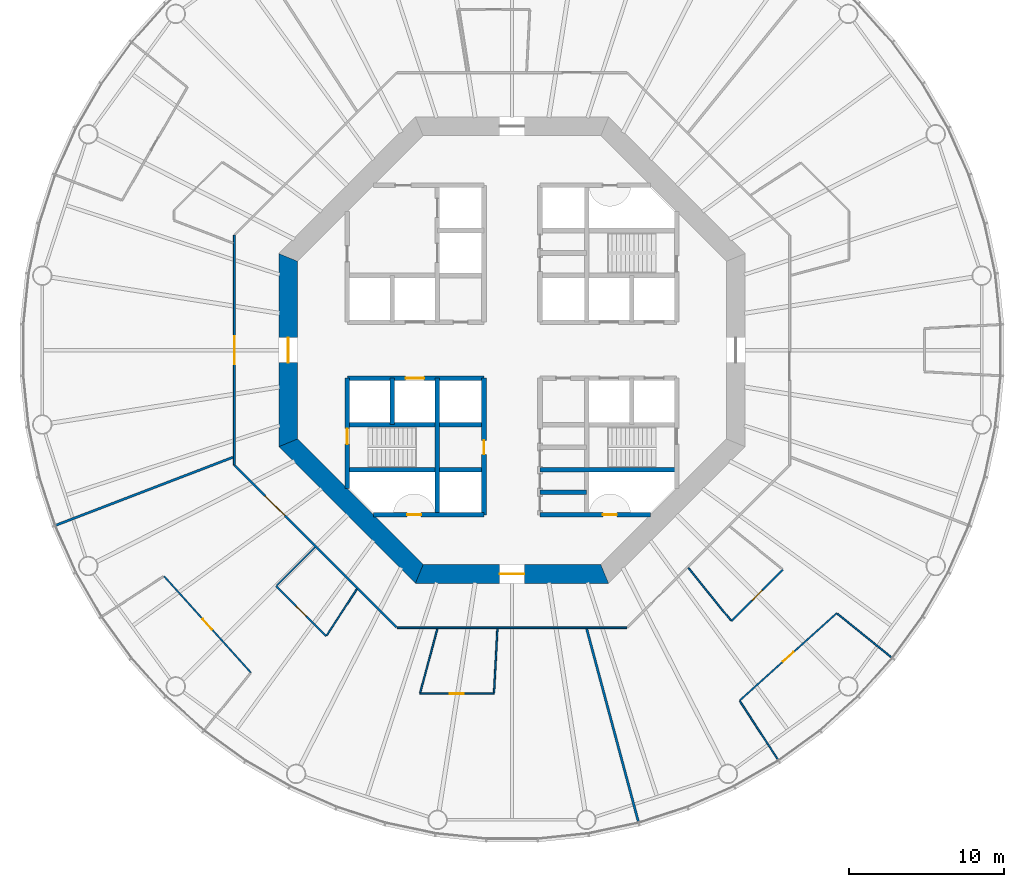
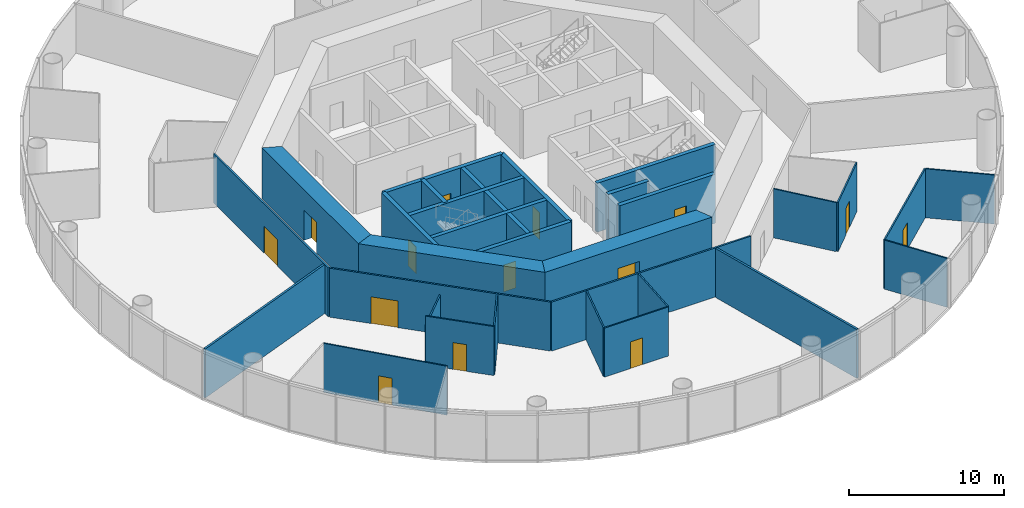
# One storey, part 3 of 13: 31 walls, 14 doors, 14 openings.
"""IFC4 building model written with IfcOpenShell, lengths in metres."""

from ifc_helpers import new_model, si_unit, direction, frame, frame_2d, origin, place, context, subcontext, project, spatial, polyline, rectangle, outline, extrude, material, layer, layer_set, type_object, element, fill, save


model = new_model("IFC4")

# Units and contexts
model_context = context("Model", 3, precision=1e-05, world=origin(), true_north=direction((0.0, 1.0)))
body_context = subcontext(model_context, "Body", "Model", "MODEL_VIEW")
ifc_project = project(units=[si_unit("LENGTHUNIT", "METRE"), si_unit("AREAUNIT", "SQUARE_METRE"), si_unit("VOLUMEUNIT", "CUBIC_METRE"), si_unit("PLANEANGLEUNIT", "RADIAN"), si_unit("MASSUNIT", "GRAM", prefix="KILO")], contexts=[model_context])

# Site, building, storey
site_placement = place(None, origin())
site = spatial("IfcSite", under=ifc_project, at=site_placement, CompositionType="ELEMENT")
building_placement = place(site_placement, origin())
building = spatial("IfcBuilding", under=site, at=building_placement, Name="Entoto Ring Tower", CompositionType="ELEMENT")
storey_placement = place(building_placement, frame((0.0, 0.0, 120.0)))
storey = spatial("IfcBuildingStorey", under=building, at=storey_placement, Name="L27", CompositionType="ELEMENT", Elevation=120.0)

# Wall, opening, door
ifc_material_1 = material(Name="Concrete C40/50", Category="concrete")
ifc_layer_1 = layer(ifc_material_1, 0.300048828125)
ifc_layer_set_1 = layer_set([ifc_layer_1], Name="Concrete C40/50")
wall_type_1 = type_object("IfcWallType", Name="Core enclosure wall 300 mm reinforced concrete", PredefinedType="SOLIDWALL", material=ifc_layer_set_1)
wall_1_placement = place(storey_placement, frame((88.199951171875, 69.39990234375, 0.0), z_axis=(0.0, 0.0, 1.0), x_axis=(0.0, 1.0, 0.0)))
wall_1 = element("IfcWall", 1, at=wall_1_placement, inside=storey, type_object=wall_type_1, Name="wall-L27-009", PredefinedType="SOLIDWALL", context=body_context, shape_type="SweptSolid", body=[
    extrude(rectangle(XDim=8.800048828125, YDim=0.300048828125, at=frame_2d((4.39990234375, 0.0))), origin(), (0.0, 0.0, 1.0), 3.85009765625),
])
opening_1_placement = place(wall_1_placement, frame((3.89990234375, 0.0, 0.0)))
opening_1 = element("IfcOpeningElement", 2, at=opening_1_placement, cuts=wall_1, Name="Opening K-57", PredefinedType="OPENING", context=body_context, shape_type="SweptSolid", body=[
    extrude(rectangle(XDim=0.89990234375, YDim=2.10009765625, at=frame_2d((0.449951171875, 1.050048828125))), frame((0.0, 0.16015625, 0.0), z_axis=(0.0, -1.0, 0.0), x_axis=(1.0, 0.0, 0.0)), (0.0, 0.0, 1.0), 0.320068359375),
])
ifc_material_2 = material(Name="Steel door leaf, fire rated", Category="steel")
ifc_layer_2 = layer(ifc_material_2, 0.050048828125)
ifc_layer_set_2 = layer_set([ifc_layer_2], Name="Steel door leaf, fire rated")
door_type_1 = type_object("IfcDoorType", Name="Core door 900 x 2100 single leaf", OperationType="NOTDEFINED", PredefinedType="DOOR", material=ifc_layer_set_2)
door_1_placement = place(opening_1_placement, origin())
door_1 = element("IfcDoor", 3, at=door_1_placement, inside=storey, type_object=door_type_1, Name="Door K-57", OperationType="SINGLE_SWING_RIGHT", OverallHeight=2.10009765625, OverallWidth=0.89990234375, PredefinedType="DOOR", context=body_context, shape_type="SweptSolid", body=[
    extrude(rectangle(XDim=0.89990234375, YDim=2.10009765625, at=frame_2d((0.449951171875, 1.050048828125))), frame((0.0, 0.02490234375, 0.0), z_axis=(0.0, -1.0, 0.0), x_axis=(1.0, 0.0, 0.0)), (0.0, 0.0, 1.0), 0.050048828125),
])
fill(opening_1, door_1)

# Walls
wall_2_placement = place(storey_placement, frame((85.199951171875, 69.39990234375, 0.0), z_axis=(0.0, 0.0, 1.0), x_axis=(0.0, 1.0, 0.0)))
element("IfcWall", 4, at=wall_2_placement, inside=storey, type_object=wall_type_1, Name="wall-L27-011", PredefinedType="SOLIDWALL", context=body_context, shape_type="SweptSolid", body=[
    extrude(rectangle(XDim=8.800048828125, YDim=0.300048828125, at=frame_2d((4.39990234375, 0.0))), origin(), (0.0, 0.0, 1.0), 3.85009765625),
])
wall_3_placement = place(storey_placement, frame((82.300048828125, 75.199951171875, 0.0), z_axis=(0.0, 0.0, 1.0), x_axis=(0.0, 1.0, 0.0)))
element("IfcWall", 5, at=wall_3_placement, inside=storey, type_object=wall_type_1, Name="wall-L27-013", PredefinedType="SOLIDWALL", context=body_context, shape_type="SweptSolid", body=[
    extrude(rectangle(XDim=3.0, YDim=0.300048828125, at=frame_2d((1.5, 0.0))), origin(), (0.0, 0.0, 1.0), 3.85009765625),
])

# Wall, opening, door
wall_4_placement = place(storey_placement, frame((79.39990234375, 71.083984375, 0.0), z_axis=(0.0, 0.0, 1.0), x_axis=(0.0, 1.0, 0.0)))
wall_4 = element("IfcWall", 6, at=wall_4_placement, inside=storey, type_object=wall_type_1, Name="wall-L27-015", PredefinedType="SOLIDWALL", context=body_context, shape_type="SweptSolid", body=[
    extrude(rectangle(XDim=7.115966796875, YDim=0.300048828125, at=frame_2d((3.55810546875, 0.0))), origin(), (0.0, 0.0, 1.0), 3.85009765625),
])
opening_2_placement = place(wall_4_placement, frame((2.8662109375, 0.0, 0.0)))
opening_2 = element("IfcOpeningElement", 7, at=opening_2_placement, cuts=wall_4, Name="Opening K-67", PredefinedType="OPENING", context=body_context, shape_type="SweptSolid", body=[
    extrude(rectangle(XDim=1.0, YDim=2.10009765625, at=frame_2d((0.5, 1.050048828125))), frame((0.0, 0.16015625, 0.0), z_axis=(0.0, -1.0, 0.0), x_axis=(1.0, 0.0, 0.0)), (0.0, 0.0, 1.0), 0.320068359375),
])
ifc_material_3 = material(Name="Steel door leaf, fire rated", Category="steel")
ifc_layer_3 = layer(ifc_material_3, 0.050048828125)
ifc_layer_set_3 = layer_set([ifc_layer_3], Name="Steel door leaf, fire rated")
door_type_2 = type_object("IfcDoorType", Name="Fire door FD60 1000 x 2100 single leaf", OperationType="NOTDEFINED", PredefinedType="DOOR", material=ifc_layer_set_3)
door_2_placement = place(opening_2_placement, frame((1.0, 0.0, 0.0), z_axis=(0.0, 0.0, 1.0), x_axis=(-1.0, 0.0, 0.0)))
door_2 = element("IfcDoor", 8, at=door_2_placement, inside=storey, type_object=door_type_2, Name="Door K-67", OperationType="SINGLE_SWING_LEFT", OverallHeight=2.10009765625, OverallWidth=1.0, PredefinedType="DOOR", context=body_context, shape_type="SweptSolid", body=[
    extrude(rectangle(XDim=1.0, YDim=2.10009765625, at=frame_2d((0.5, 1.050048828125))), frame((0.0, 0.02490234375, 0.0), z_axis=(0.0, -1.0, 0.0), x_axis=(1.0, 0.0, 0.0)), (0.0, 0.0, 1.0), 0.050048828125),
])
fill(opening_2, door_2)

wall_5_placement = place(storey_placement, frame((81.083984375, 69.39990234375, 0.0), z_axis=(0.0, 0.0, 1.0), x_axis=(1.0, 0.0, 0.0)))
wall_5 = element("IfcWall", 9, at=wall_5_placement, inside=storey, type_object=wall_type_1, Name="wall-L27-017", PredefinedType="SOLIDWALL", context=body_context, shape_type="SweptSolid", body=[
    extrude(rectangle(XDim=7.115966796875, YDim=0.300048828125, at=frame_2d((3.55810546875, 0.0))), origin(), (0.0, 0.0, 1.0), 3.85009765625),
])
opening_3_placement = place(wall_5_placement, frame((2.166015625, 0.0, 0.0)))
opening_3 = element("IfcOpeningElement", 10, at=opening_3_placement, cuts=wall_5, Name="Opening K-74", PredefinedType="OPENING", context=body_context, shape_type="SweptSolid", body=[
    extrude(rectangle(XDim=0.89990234375, YDim=2.10009765625, at=frame_2d((0.449951171875, 1.050048828125))), frame((0.0, 0.16015625, 0.0), z_axis=(0.0, -1.0, 0.0), x_axis=(1.0, 0.0, 0.0)), (0.0, 0.0, 1.0), 0.320068359375),
])
ifc_material_4 = material(Name="Steel door leaf, fire rated", Category="steel")
ifc_layer_4 = layer(ifc_material_4, 0.050048828125)
ifc_layer_set_4 = layer_set([ifc_layer_4], Name="Steel door leaf, fire rated")
door_type_3 = type_object("IfcDoorType", Name="Riser door FD60 900 x 2100 single leaf", OperationType="NOTDEFINED", PredefinedType="DOOR", material=ifc_layer_set_4)
door_3_placement = place(opening_3_placement, origin())
door_3 = element("IfcDoor", 11, at=door_3_placement, inside=storey, type_object=door_type_3, Name="Door K-74", OperationType="SINGLE_SWING_RIGHT", OverallHeight=2.10009765625, OverallWidth=0.89990234375, PredefinedType="DOOR", context=body_context, shape_type="SweptSolid", body=[
    extrude(rectangle(XDim=0.89990234375, YDim=2.10009765625, at=frame_2d((0.449951171875, 1.050048828125))), frame((0.0, 0.02490234375, 0.0), z_axis=(0.0, -1.0, 0.0), x_axis=(1.0, 0.0, 0.0)), (0.0, 0.0, 1.0), 0.050048828125),
])
fill(opening_3, door_3)

wall_6_placement = place(storey_placement, frame((91.800048828125, 69.39990234375, 0.0), z_axis=(0.0, 0.0, 1.0), x_axis=(1.0, 0.0, 0.0)))
wall_6 = element("IfcWall", 12, at=wall_6_placement, inside=storey, type_object=wall_type_1, Name="wall-L27-018", PredefinedType="SOLIDWALL", context=body_context, shape_type="SweptSolid", body=[
    extrude(rectangle(XDim=7.115966796875, YDim=0.300048828125, at=frame_2d((3.55810546875, 0.0))), origin(), (0.0, 0.0, 1.0), 3.85009765625),
])
opening_4_placement = place(wall_6_placement, frame((4.050048828125, 0.0, 0.0)))
opening_4 = element("IfcOpeningElement", 13, at=opening_4_placement, cuts=wall_6, Name="Opening K-75", PredefinedType="OPENING", context=body_context, shape_type="SweptSolid", body=[
    extrude(rectangle(XDim=0.89990234375, YDim=2.10009765625, at=frame_2d((0.449951171875, 1.050048828125))), frame((0.0, 0.16015625, 0.0), z_axis=(0.0, -1.0, 0.0), x_axis=(1.0, 0.0, 0.0)), (0.0, 0.0, 1.0), 0.320068359375),
])
door_4_placement = place(opening_4_placement, origin())
door_4 = element("IfcDoor", 14, at=door_4_placement, inside=storey, type_object=door_type_3, Name="Door K-75", OperationType="SINGLE_SWING_LEFT", OverallHeight=2.10009765625, OverallWidth=0.89990234375, PredefinedType="DOOR", context=body_context, shape_type="SweptSolid", body=[
    extrude(rectangle(XDim=0.89990234375, YDim=2.10009765625, at=frame_2d((0.449951171875, 1.050048828125))), frame((0.0, 0.02490234375, 0.0), z_axis=(0.0, -1.0, 0.0), x_axis=(1.0, 0.0, 0.0)), (0.0, 0.0, 1.0), 0.050048828125),
])
fill(opening_4, door_4)

# Walls
wall_7_placement = place(storey_placement, frame((91.800048828125, 70.85009765625, 0.0), z_axis=(0.0, 0.0, 1.0), x_axis=(1.0, 0.0, 0.0)))
element("IfcWall", 15, at=wall_7_placement, inside=storey, type_object=wall_type_1, Name="wall-L27-019", PredefinedType="SOLIDWALL", context=body_context, shape_type="SweptSolid", body=[
    extrude(rectangle(XDim=3.0, YDim=0.300048828125, at=frame_2d((1.5, 0.0))), origin(), (0.0, 0.0, 1.0), 3.85009765625),
])
for number, where, z_axis, x_axis, name in (
    (16, (79.39990234375, 72.300048828125, 0.0), (0.0, 0.0, 1.0), (1.0, 0.0, 0.0), "wall-L27-020"),
    (17, (91.800048828125, 72.300048828125, 0.0), (0.0, 0.0, 1.0), (1.0, 0.0, 0.0), "wall-L27-021"),
    (18, (79.39990234375, 75.199951171875, 0.0), (0.0, 0.0, 1.0), (1.0, 0.0, 0.0), "wall-L27-023"),
):
    element("IfcWall", number, at=place(storey_placement, frame(where, z_axis=z_axis, x_axis=x_axis)), inside=storey, type_object=wall_type_1, Name=name, PredefinedType="SOLIDWALL", context=body_context, shape_type="SweptSolid", body=[
        extrude(rectangle(XDim=8.800048828125, YDim=0.300048828125, at=frame_2d((4.39990234375, 0.0))), origin(), (0.0, 0.0, 1.0), 3.85009765625),
    ])

# Wall, opening, door
wall_8_placement = place(storey_placement, frame((79.39990234375, 78.199951171875, 0.0), z_axis=(0.0, 0.0, 1.0), x_axis=(1.0, 0.0, 0.0)))
wall_8 = element("IfcWall", 19, at=wall_8_placement, inside=storey, type_object=wall_type_1, Name="wall-L27-025", PredefinedType="SOLIDWALL", context=body_context, shape_type="SweptSolid", body=[
    extrude(rectangle(XDim=8.800048828125, YDim=0.300048828125, at=frame_2d((4.39990234375, 0.0))), origin(), (0.0, 0.0, 1.0), 3.85009765625),
])
opening_5_placement = place(wall_8_placement, frame((3.75, 0.0, 0.0)))
opening_5 = element("IfcOpeningElement", 20, at=opening_5_placement, cuts=wall_8, Name="Opening LD", PredefinedType="OPENING", context=body_context, shape_type="SweptSolid", body=[
    extrude(rectangle(XDim=1.199951171875, YDim=2.10009765625, at=frame_2d((0.60009765625, 1.050048828125))), frame((0.0, 0.16015625, 0.0), z_axis=(0.0, -1.0, 0.0), x_axis=(1.0, 0.0, 0.0)), (0.0, 0.0, 1.0), 0.320068359375),
])
ifc_material_5 = material(Name="Steel and glass door leaf", Category="steel")
ifc_layer_5 = layer(ifc_material_5, 0.050048828125)
ifc_layer_set_5 = layer_set([ifc_layer_5], Name="Steel and glass door leaf")
door_type_4 = type_object("IfcDoorType", Name="Landing door 1200 x 2100 sliding", OperationType="DOUBLE_DOOR_SLIDING", PredefinedType="DOOR", material=ifc_layer_set_5)
door_5_placement = place(opening_5_placement, origin())
door_5 = element("IfcDoor", 21, at=door_5_placement, inside=storey, type_object=door_type_4, Name="Landing door LB6-LR", OperationType="SLIDING_TO_RIGHT", OverallHeight=2.10009765625, OverallWidth=1.199951171875, PredefinedType="DOOR", context=body_context, shape_type="SweptSolid", body=[
    extrude(rectangle(XDim=1.199951171875, YDim=2.10009765625, at=frame_2d((0.60009765625, 1.050048828125))), frame((0.0, 0.02490234375, 0.0), z_axis=(0.0, -1.0, 0.0), x_axis=(1.0, 0.0, 0.0)), (0.0, 0.0, 1.0), 0.050048828125),
])
fill(opening_5, door_5)

ifc_material_6 = material(Name="Concrete C60/75", Category="concrete")
ifc_layer_6 = layer(ifc_material_6, 1.199951171875)
ifc_layer_set_6 = layer_set([ifc_layer_6], Name="Concrete C60/75")
wall_type_2 = type_object("IfcWallType", Name="Core shear wall 1200 mm reinforced concrete C60/75", PredefinedType="SHEAR", material=ifc_layer_set_6)
wall_9_placement = place(storey_placement, frame((75.60009765625, 85.964599609375, 0.0), z_axis=(0.0, 0.0, 1.0), x_axis=(0.0, -1.0, 0.0)))
wall_9 = element("IfcWall", 22, at=wall_9_placement, inside=storey, type_object=wall_type_2, Name="wall-L27-core-4", PredefinedType="SHEAR", context=body_context, shape_type="SweptSolid", body=[
    extrude(outline(polyline([(-0.24853515625, -0.60009765625), (12.177734375, -0.60009765625), (11.6806640625, 0.60009765625), (0.24853515625, 0.60009765625), (-0.24853515625, -0.60009765625)])), origin(), (0.0, 0.0, 1.0), 4.0),
])
opening_6_placement = place(wall_9_placement, frame((5.164794921875, 0.0, 0.0)))
opening_6 = element("IfcOpeningElement", 23, at=opening_6_placement, cuts=wall_9, Name="Opening K-03", PredefinedType="OPENING", context=body_context, shape_type="SweptSolid", body=[
    extrude(rectangle(XDim=1.60009765625, YDim=2.39990234375, at=frame_2d((0.800048828125, 1.199951171875))), frame((0.0, 0.60986328125, 0.0), z_axis=(0.0, -1.0, 0.0), x_axis=(1.0, 0.0, 0.0)), (0.0, 0.0, 1.0), 1.219970703125),
])
ifc_material_7 = material(Name="Steel door leaf, fire rated", Category="steel")
ifc_layer_7 = layer(ifc_material_7, 0.050048828125)
ifc_layer_set_7 = layer_set([ifc_layer_7], Name="Steel door leaf, fire rated")
door_type_5 = type_object("IfcDoorType", Name="Entrance door FD60 1600 x 2400 double leaf", OperationType="DOUBLE_DOOR_SINGLE_SWING", PredefinedType="DOOR", material=ifc_layer_set_7)
door_6_placement = place(opening_6_placement, origin())
door_6 = element("IfcDoor", 24, at=door_6_placement, inside=storey, type_object=door_type_5, Name="Entrance door K-03", OperationType="DOUBLE_DOOR_SINGLE_SWING", OverallHeight=2.39990234375, OverallWidth=1.60009765625, PredefinedType="DOOR", context=body_context, shape_type="SweptSolid", body=[
    extrude(rectangle(XDim=1.60009765625, YDim=2.39990234375, at=frame_2d((0.800048828125, 1.199951171875))), frame((0.0, 0.02490234375, 0.0), z_axis=(0.0, -1.0, 0.0), x_axis=(1.0, 0.0, 0.0)), (0.0, 0.0, 1.0), 0.050048828125),
])
fill(opening_6, door_6)

# Wall
wall_10_placement = place(storey_placement, frame((75.60009765625, 74.035400390625, 0.0), z_axis=(0.0, 0.0, 1.0), x_axis=(0.707106781187, -0.707106781187, 0.0)))
element("IfcWall", 25, at=wall_10_placement, inside=storey, type_object=wall_type_2, Name="wall-L27-core-5", PredefinedType="SHEAR", context=body_context, shape_type="SweptSolid", body=[
    extrude(outline(polyline([(-0.24853515625, -0.60009765625), (12.177734375, -0.60009765625), (11.6806640625, 0.60009765625), (0.24853515625, 0.60009765625), (-0.24853515625, -0.60009765625)])), origin(), (0.0, 0.0, 1.0), 4.0),
])

# Wall, opening, door
wall_11_placement = place(storey_placement, frame((84.035400390625, 65.60009765625, 0.0), z_axis=(0.0, 0.0, 1.0), x_axis=(1.0, 0.0, 0.0)))
wall_11 = element("IfcWall", 26, at=wall_11_placement, inside=storey, type_object=wall_type_2, Name="wall-L27-core-6", PredefinedType="SHEAR", context=body_context, shape_type="SweptSolid", body=[
    extrude(outline(polyline([(-0.24853515625, -0.60009765625), (12.177734375, -0.60009765625), (11.6806640625, 0.60009765625), (0.24853515625, 0.60009765625), (-0.24853515625, -0.60009765625)])), origin(), (0.0, 0.0, 1.0), 4.0),
])
opening_7_placement = place(wall_11_placement, frame((5.164794921875, 0.0, 0.0)))
opening_7 = element("IfcOpeningElement", 27, at=opening_7_placement, cuts=wall_11, Name="Opening K-04", PredefinedType="OPENING", context=body_context, shape_type="SweptSolid", body=[
    extrude(rectangle(XDim=1.60009765625, YDim=2.39990234375, at=frame_2d((0.800048828125, 1.199951171875))), frame((0.0, 0.60986328125, 0.0), z_axis=(0.0, -1.0, 0.0), x_axis=(1.0, 0.0, 0.0)), (0.0, 0.0, 1.0), 1.219970703125),
])
door_7_placement = place(opening_7_placement, origin())
door_7 = element("IfcDoor", 28, at=door_7_placement, inside=storey, type_object=door_type_5, Name="Entrance door K-04", OperationType="DOUBLE_DOOR_SINGLE_SWING", OverallHeight=2.39990234375, OverallWidth=1.60009765625, PredefinedType="DOOR", context=body_context, shape_type="SweptSolid", body=[
    extrude(rectangle(XDim=1.60009765625, YDim=2.39990234375, at=frame_2d((0.800048828125, 1.199951171875))), frame((0.0, 0.02490234375, 0.0), z_axis=(0.0, -1.0, 0.0), x_axis=(1.0, 0.0, 0.0)), (0.0, 0.0, 1.0), 0.050048828125),
])
fill(opening_7, door_7)

ifc_material_8 = material(Name="Fire-resisting plasterboard on steel studs", Category="steel")
ifc_layer_8 = layer(ifc_material_8, 0.125)
ifc_layer_set_8 = layer_set([ifc_layer_8], Name="Fire-resisting plasterboard on steel studs")
wall_type_3 = type_object("IfcWallType", Name="Corridor wall 125 mm one-hour plasterboard on steel studs", PredefinedType="PARTITIONING", material=ifc_layer_set_8)
wall_12_placement = place(storey_placement, frame((72.137451171875, 72.60107421875, 0.0), z_axis=(0.0, 0.0, 1.0), x_axis=(0.0, 1.0, 0.0)))
wall_12 = element("IfcWall", 29, at=wall_12_placement, inside=storey, type_object=wall_type_3, Name="partition-L27-001", PredefinedType="PARTITIONING", context=body_context, shape_type="SweptSolid", body=[
    extrude(rectangle(XDim=14.7978515625, YDim=0.125, at=frame_2d((7.39892578125, 0.0))), origin(), (0.0, 0.0, 1.0), 3.85009765625),
])
opening_8_placement = place(wall_12_placement, frame((6.498779296875, 0.0, 0.0)))
opening_8 = element("IfcOpeningElement", 30, at=opening_8_placement, cuts=wall_12, Name="Opening A11-D07", PredefinedType="OPENING", context=body_context, shape_type="SweptSolid", body=[
    extrude(rectangle(XDim=1.800048828125, YDim=2.10009765625, at=frame_2d((0.89990234375, 1.050048828125))), frame((0.0, 0.072509765625, 0.0), z_axis=(0.0, -1.0, 0.0), x_axis=(1.0, 0.0, 0.0)), (0.0, 0.0, 1.0), 0.14501953125),
])
ifc_material_9 = material(Name="Fire-resisting timber door set", Category="wood")
door_type_6 = type_object("IfcDoorType", Name="Door 1800 x 2100 double leaf FD30S fire door", OperationType="DOUBLE_DOOR_SINGLE_SWING", PredefinedType="DOOR", material=ifc_material_9)
door_8_placement = place(opening_8_placement, origin())
door_8 = element("IfcDoor", 31, at=door_8_placement, inside=storey, type_object=door_type_6, Name="Door A11-D07", OperationType="DOUBLE_DOOR_SINGLE_SWING", OverallHeight=2.10009765625, OverallWidth=1.800048828125, PredefinedType="DOOR", context=body_context, shape_type="SweptSolid", body=[
    extrude(rectangle(XDim=1.800048828125, YDim=2.10009765625, at=frame_2d((0.89990234375, 1.050048828125))), frame((0.0, 0.02490234375, 0.0), z_axis=(0.0, -1.0, 0.0), x_axis=(1.0, 0.0, 0.0)), (0.0, 0.0, 1.0), 0.050048828125),
])
fill(opening_8, door_8)

# Wall
wall_13_placement = place(storey_placement, frame((82.60107421875, 62.137451171875, 0.0), z_axis=(0.0, 0.0, 1.0), x_axis=(1.0, 0.0, 0.0)))
element("IfcWall", 32, at=wall_13_placement, inside=storey, type_object=wall_type_3, Name="partition-L27-002", PredefinedType="PARTITIONING", context=body_context, shape_type="SweptSolid", body=[
    extrude(rectangle(XDim=14.7978515625, YDim=0.125, at=frame_2d((7.39892578125, 0.0))), origin(), (0.0, 0.0, 1.0), 3.85009765625),
])

# Wall, opening, door
wall_14_placement = place(storey_placement, frame((82.570068359375, 62.168701171875, 0.0), z_axis=(0.0, 0.0, 1.0), x_axis=(-0.707106781187, 0.707106781187, 0.0)))
wall_14 = element("IfcWall", 33, at=wall_14_placement, inside=storey, type_object=wall_type_3, Name="partition-L27-006", PredefinedType="PARTITIONING", context=body_context, shape_type="SweptSolid", body=[
    extrude(rectangle(XDim=14.709716796875, YDim=0.125, at=frame_2d((7.35498046875, 0.0))), origin(), (0.0, 0.0, 1.0), 3.85009765625),
])
opening_9_placement = place(wall_14_placement, frame((10.154296875, 0.0, 0.0)))
opening_9 = element("IfcOpeningElement", 34, at=opening_9_placement, cuts=wall_14, Name="Opening A11-D10", PredefinedType="OPENING", context=body_context, shape_type="SweptSolid", body=[
    extrude(rectangle(XDim=1.800048828125, YDim=2.10009765625, at=frame_2d((0.89990234375, 1.050048828125))), frame((0.0, 0.072509765625, 0.0), z_axis=(0.0, -1.0, 0.0), x_axis=(1.0, 0.0, 0.0)), (0.0, 0.0, 1.0), 0.14501953125),
])
door_9_placement = place(opening_9_placement, origin())
door_9 = element("IfcDoor", 35, at=door_9_placement, inside=storey, type_object=door_type_6, Name="Door A11-D10", OperationType="DOUBLE_DOOR_SINGLE_SWING", OverallHeight=2.10009765625, OverallWidth=1.800048828125, PredefinedType="DOOR", context=body_context, shape_type="SweptSolid", body=[
    extrude(rectangle(XDim=1.800048828125, YDim=2.10009765625, at=frame_2d((0.89990234375, 1.050048828125))), frame((0.0, 0.02490234375, 0.0), z_axis=(0.0, -1.0, 0.0), x_axis=(1.0, 0.0, 0.0)), (0.0, 0.0, 1.0), 0.050048828125),
])
fill(opening_9, door_9)

ifc_material_10 = material(Name="Plasterboard on steel studs", Category="steel")
ifc_layer_9 = layer(ifc_material_10, 0.10009765625)
ifc_layer_set_9 = layer_set([ifc_layer_9], Name="Plasterboard on steel studs")
wall_type_4 = type_object("IfcWallType", Name="Partition 100 mm plasterboard on steel studs", PredefinedType="PARTITIONING", material=ifc_layer_set_9)
wall_15_placement = place(storey_placement, frame((104.645263671875, 57.447998046875, 0.0), z_axis=(0.0, 0.0, 1.0), x_axis=(0.7431368482, 0.669139465916, 0.0)))
wall_15 = element("IfcWall", 36, at=wall_15_placement, inside=storey, type_object=wall_type_4, Name="partition-L27-014", PredefinedType="PARTITIONING", context=body_context, shape_type="SweptSolid", body=[
    extrude(rectangle(XDim=8.413330078125, YDim=0.10009765625, at=frame_2d((4.20654296875, 0.0))), origin(), (0.0, 0.0, 1.0), 3.85009765625),
])
opening_10_placement = place(wall_15_placement, frame((3.756591796875, 0.0, 0.0)))
opening_10 = element("IfcOpeningElement", 37, at=opening_10_placement, cuts=wall_15, Name="Opening A11-D16", PredefinedType="OPENING", context=body_context, shape_type="SweptSolid", body=[
    extrude(rectangle(XDim=0.89990234375, YDim=2.10009765625, at=frame_2d((0.449951171875, 1.050048828125))), frame((0.0, 0.06005859375, 0.0), z_axis=(0.0, -1.0, 0.0), x_axis=(1.0, 0.0, 0.0)), (0.0, 0.0, 1.0), 0.1201171875),
])
ifc_material_11 = material(Name="Veneered timber door leaf in timber frame", Category="wood")
door_type_7 = type_object("IfcDoorType", Name="Door 900 x 2100 single leaf timber veneer", OperationType="NOTDEFINED", PredefinedType="DOOR", material=ifc_material_11)
door_10_placement = place(opening_10_placement, frame((0.89990234375, 0.0, 0.0), z_axis=(0.0, 0.0, 1.0), x_axis=(-1.0, 0.0, 0.0)))
door_10 = element("IfcDoor", 38, at=door_10_placement, inside=storey, type_object=door_type_7, Name="Door A11-D16", OperationType="SINGLE_SWING_RIGHT", OverallHeight=2.10009765625, OverallWidth=0.89990234375, PredefinedType="DOOR", context=body_context, shape_type="SweptSolid", body=[
    extrude(rectangle(XDim=0.89990234375, YDim=2.10009765625, at=frame_2d((0.449951171875, 1.050048828125))), frame((0.0, 0.02490234375, 0.0), z_axis=(0.0, -1.0, 0.0), x_axis=(1.0, 0.0, 0.0)), (0.0, 0.0, 1.0), 0.050048828125),
])
fill(opening_10, door_10)

wall_16_placement = place(storey_placement, frame((73.197021484375, 59.250244140625, 0.0), z_axis=(0.0, 0.0, 1.0), x_axis=(-0.669137488158, 0.74313862902, 0.0)))
wall_16 = element("IfcWall", 39, at=wall_16_placement, inside=storey, type_object=wall_type_4, Name="partition-L27-016", PredefinedType="PARTITIONING", context=body_context, shape_type="SweptSolid", body=[
    extrude(rectangle(XDim=8.353515625, YDim=0.10009765625, at=frame_2d((4.1767578125, 0.0))), origin(), (0.0, 0.0, 1.0), 3.85009765625),
])
opening_11_placement = place(wall_16_placement, frame((3.726806640625, 0.0, 0.0)))
opening_11 = element("IfcOpeningElement", 40, at=opening_11_placement, cuts=wall_16, Name="Opening A11-D13", PredefinedType="OPENING", context=body_context, shape_type="SweptSolid", body=[
    extrude(rectangle(XDim=0.89990234375, YDim=2.10009765625, at=frame_2d((0.449951171875, 1.050048828125))), frame((0.0, 0.06005859375, 0.0), z_axis=(0.0, -1.0, 0.0), x_axis=(1.0, 0.0, 0.0)), (0.0, 0.0, 1.0), 0.1201171875),
])
door_11_placement = place(opening_11_placement, origin())
door_11 = element("IfcDoor", 41, at=door_11_placement, inside=storey, type_object=door_type_7, Name="Door A11-D13", OperationType="SINGLE_SWING_RIGHT", OverallHeight=2.10009765625, OverallWidth=0.89990234375, PredefinedType="DOOR", context=body_context, shape_type="SweptSolid", body=[
    extrude(rectangle(XDim=0.89990234375, YDim=2.10009765625, at=frame_2d((0.449951171875, 1.050048828125))), frame((0.0, 0.02490234375, 0.0), z_axis=(0.0, -1.0, 0.0), x_axis=(1.0, 0.0, 0.0)), (0.0, 0.0, 1.0), 0.050048828125),
])
fill(opening_11, door_11)

wall_17_placement = place(storey_placement, frame((84.07763671875, 57.8974609375, 0.0), z_axis=(0.0, 0.0, 1.0), x_axis=(1.0, 0.0, 0.0)))
wall_17 = element("IfcWall", 42, at=wall_17_placement, inside=storey, type_object=wall_type_4, Name="partition-L27-022", PredefinedType="PARTITIONING", context=body_context, shape_type="SweptSolid", body=[
    extrude(rectangle(XDim=4.76416015625, YDim=0.10009765625, at=frame_2d((2.382080078125, 0.0))), origin(), (0.0, 0.0, 1.0), 3.85009765625),
])
opening_12_placement = place(wall_17_placement, frame((1.931884765625, 0.0, 0.0)))
opening_12 = element("IfcOpeningElement", 43, at=opening_12_placement, cuts=wall_17, Name="Opening A11-D12", PredefinedType="OPENING", context=body_context, shape_type="SweptSolid", body=[
    extrude(rectangle(XDim=0.89990234375, YDim=2.10009765625, at=frame_2d((0.449951171875, 1.050048828125))), frame((0.0, 0.06005859375, 0.0), z_axis=(0.0, -1.0, 0.0), x_axis=(1.0, 0.0, 0.0)), (0.0, 0.0, 1.0), 0.1201171875),
])
door_12_placement = place(opening_12_placement, origin())
door_12 = element("IfcDoor", 44, at=door_12_placement, inside=storey, type_object=door_type_7, Name="Door A11-D12", OperationType="SINGLE_SWING_LEFT", OverallHeight=2.10009765625, OverallWidth=0.89990234375, PredefinedType="DOOR", context=body_context, shape_type="SweptSolid", body=[
    extrude(rectangle(XDim=0.89990234375, YDim=2.10009765625, at=frame_2d((0.449951171875, 1.050048828125))), frame((0.0, 0.02490234375, 0.0), z_axis=(0.0, -1.0, 0.0), x_axis=(1.0, 0.0, 0.0)), (0.0, 0.0, 1.0), 0.050048828125),
])
fill(opening_12, door_12)

wall_18_placement = place(storey_placement, frame((104.119140625, 62.564453125, 0.0), z_axis=(0.0, 0.0, 1.0), x_axis=(0.707106781187, 0.707106781187, 0.0)))
wall_18 = element("IfcWall", 45, at=wall_18_placement, inside=storey, type_object=wall_type_4, Name="partition-L27-025", PredefinedType="PARTITIONING", context=body_context, shape_type="SweptSolid", body=[
    extrude(rectangle(XDim=4.690185546875, YDim=0.10009765625, at=frame_2d((2.34521484375, 0.0))), origin(), (0.0, 0.0, 1.0), 3.85009765625),
])
opening_13_placement = place(wall_18_placement, frame((1.89501953125, 0.0, 0.0)))
opening_13 = element("IfcOpeningElement", 46, at=opening_13_placement, cuts=wall_18, Name="Opening A11-D15", PredefinedType="OPENING", context=body_context, shape_type="SweptSolid", body=[
    extrude(rectangle(XDim=0.89990234375, YDim=2.10009765625, at=frame_2d((0.449951171875, 1.050048828125))), frame((0.0, 0.06005859375, 0.0), z_axis=(0.0, -1.0, 0.0), x_axis=(1.0, 0.0, 0.0)), (0.0, 0.0, 1.0), 0.1201171875),
])
door_13_placement = place(opening_13_placement, origin())
door_13 = element("IfcDoor", 47, at=door_13_placement, inside=storey, type_object=door_type_7, Name="Door A11-D15", OperationType="SINGLE_SWING_LEFT", OverallHeight=2.10009765625, OverallWidth=0.89990234375, PredefinedType="DOOR", context=body_context, shape_type="SweptSolid", body=[
    extrude(rectangle(XDim=0.89990234375, YDim=2.10009765625, at=frame_2d((0.449951171875, 1.050048828125))), frame((0.0, 0.02490234375, 0.0), z_axis=(0.0, -1.0, 0.0), x_axis=(1.0, 0.0, 0.0)), (0.0, 0.0, 1.0), 0.050048828125),
])
fill(opening_13, door_13)

wall_19_placement = place(storey_placement, frame((78.0439453125, 61.58935546875, 0.0), z_axis=(0.0, 0.0, 1.0), x_axis=(-0.707106781187, 0.707106781187, 0.0)))
wall_19 = element("IfcWall", 48, at=wall_19_placement, inside=storey, type_object=wall_type_4, Name="partition-L27-027", PredefinedType="PARTITIONING", context=body_context, shape_type="SweptSolid", body=[
    extrude(rectangle(XDim=4.56396484375, YDim=0.10009765625, at=frame_2d((2.281982421875, 0.0))), origin(), (0.0, 0.0, 1.0), 3.85009765625),
])
opening_14_placement = place(wall_19_placement, frame((1.83203125, 0.0, 0.0)))
opening_14 = element("IfcOpeningElement", 49, at=opening_14_placement, cuts=wall_19, Name="Opening A11-D11", PredefinedType="OPENING", context=body_context, shape_type="SweptSolid", body=[
    extrude(rectangle(XDim=0.89990234375, YDim=2.10009765625, at=frame_2d((0.449951171875, 1.050048828125))), frame((0.0, 0.06005859375, 0.0), z_axis=(0.0, -1.0, 0.0), x_axis=(1.0, 0.0, 0.0)), (0.0, 0.0, 1.0), 0.1201171875),
])
door_14_placement = place(opening_14_placement, frame((0.89990234375, 0.0, 0.0), z_axis=(0.0, 0.0, 1.0), x_axis=(-1.0, 0.0, 0.0)))
door_14 = element("IfcDoor", 50, at=door_14_placement, inside=storey, type_object=door_type_7, Name="Door A11-D11", OperationType="SINGLE_SWING_RIGHT", OverallHeight=2.10009765625, OverallWidth=0.89990234375, PredefinedType="DOOR", context=body_context, shape_type="SweptSolid", body=[
    extrude(rectangle(XDim=0.89990234375, YDim=2.10009765625, at=frame_2d((0.449951171875, 1.050048828125))), frame((0.0, 0.02490234375, 0.0), z_axis=(0.0, -1.0, 0.0), x_axis=(1.0, 0.0, 0.0)), (0.0, 0.0, 1.0), 0.050048828125),
])
fill(opening_14, door_14)

# Walls
for number, where, z_axis, x_axis, name in (
    (51, (114.43359375, 60.214111328125, 0.0), (0.0, 0.0, 1.0), (-0.777166543981, 0.629294972899, 0.0), "partition-L27-030"),
    (52, (107.12353515625, 53.632080078125, 0.0), (0.0, 0.0, 1.0), (-0.544658462499, 0.83865795127, 0.0), "partition-L27-031"),
):
    element("IfcWall", number, at=place(storey_placement, frame(where, z_axis=z_axis, x_axis=x_axis)), inside=storey, type_object=wall_type_4, Name=name, PredefinedType="PARTITIONING", context=body_context, shape_type="SweptSolid", body=[
        extrude(rectangle(XDim=4.500732421875, YDim=0.10009765625, at=frame_2d((2.25048828125, 0.0))), origin(), (0.0, 0.0, 1.0), 3.85009765625),
    ])
wall_20_placement = place(storey_placement, frame((104.083984375, 62.607421875, 0.0), z_axis=(0.0, 0.0, 1.0), x_axis=(-0.629275703713, 0.777182146422, 0.0)))
element("IfcWall", 53, at=wall_20_placement, inside=storey, type_object=wall_type_4, Name="partition-L27-032", PredefinedType="PARTITIONING", context=body_context, shape_type="SweptSolid", body=[
    extrude(rectangle(XDim=4.35107421875, YDim=0.10009765625, at=frame_2d((2.175537109375, 0.0))), origin(), (0.0, 0.0, 1.0), 3.85009765625),
])
wall_21_placement = place(storey_placement, frame((84.094482421875, 57.960205078125, 0.0), z_axis=(0.0, 0.0, 1.0), x_axis=(0.258814629035, 0.96592700956, 0.0)))
element("IfcWall", 54, at=wall_21_placement, inside=storey, type_object=wall_type_4, Name="partition-L27-034", PredefinedType="PARTITIONING", context=body_context, shape_type="SweptSolid", body=[
    extrude(rectangle(XDim=4.246826171875, YDim=0.10009765625, at=frame_2d((2.12353515625, 0.0))), origin(), (0.0, 0.0, 1.0), 3.85009765625),
])
wall_22_placement = place(storey_placement, frame((88.84423828125, 57.947509765625, 0.0), z_axis=(0.0, 0.0, 1.0), x_axis=(0.052366497942, 0.998627933664, 0.0)))
element("IfcWall", 55, at=wall_22_placement, inside=storey, type_object=wall_type_4, Name="partition-L27-037", PredefinedType="PARTITIONING", context=body_context, shape_type="SweptSolid", body=[
    extrude(rectangle(XDim=4.130615234375, YDim=0.10009765625, at=frame_2d((2.0654296875, 0.0))), origin(), (0.0, 0.0, 1.0), 3.85009765625),
])
wall_23_placement = place(storey_placement, frame((78.077392578125, 61.64111328125, 0.0), z_axis=(0.0, 0.0, 1.0), x_axis=(0.544643087082, 0.838667936489, 0.0)))
element("IfcWall", 56, at=wall_23_placement, inside=storey, type_object=wall_type_4, Name="partition-L27-044", PredefinedType="PARTITIONING", context=body_context, shape_type="SweptSolid", body=[
    extrude(rectangle(XDim=3.5546875, YDim=0.10009765625, at=frame_2d((1.77734375, 0.0))), origin(), (0.0, 0.0, 1.0), 3.85009765625),
])
ifc_material_12 = material(Name="Plasterboard on steel studs", Category="steel")
ifc_layer_10 = layer(ifc_material_12, 0.10009765625)
ifc_layer_set_10 = layer_set([ifc_layer_10], Name="Plasterboard on steel studs")
wall_type_5 = type_object("IfcWallType", Name="Partition 100 mm plasterboard on steel studs, 3097 mm high", PredefinedType="PARTITIONING", material=ifc_layer_set_10)
wall_24_placement = place(storey_placement, frame((74.85205078125, 64.85205078125, 0.0), z_axis=(0.0, 0.0, 1.0), x_axis=(0.707106781187, 0.707106781187, 0.0)))
element("IfcWall", 57, at=wall_24_placement, inside=storey, type_object=wall_type_5, Name="partition-L27-045", PredefinedType="PARTITIONING", context=body_context, shape_type="SweptSolid", body=[
    extrude(rectangle(XDim=3.497314453125, YDim=0.10009765625, at=frame_2d((1.74853515625, 0.0))), origin(), (0.0, 0.0, 1.0), 3.096923828125),
])
ifc_material_13 = material(Name="Fire-resisting acoustic plasterboard on steel studs", Category="steel")
ifc_layer_11 = layer(ifc_material_13, 0.14990234375)
ifc_layer_set_11 = layer_set([ifc_layer_11], Name="Fire-resisting acoustic plasterboard on steel studs")
wall_type_6 = type_object("IfcWallType", Name="Party wall 150 mm one-hour acoustic plasterboard on steel studs", PredefinedType="PARTITIONING", material=ifc_layer_set_11)
wall_25_placement = place(storey_placement, frame((98.13720703125, 49.63134765625, 0.0), z_axis=(0.0, 0.0, 1.0), x_axis=(-0.258820206775, 0.965925515019, 0.0)))
element("IfcWall", 58, at=wall_25_placement, inside=storey, type_object=wall_type_6, Name="partition-L27-011", PredefinedType="PARTITIONING", context=body_context, shape_type="SweptSolid", body=[
    extrude(rectangle(XDim=12.862548828125, YDim=0.14990234375, at=frame_2d((6.43115234375, 0.0))), origin(), (0.0, 0.0, 1.0), 3.85009765625),
])
wall_26_placement = place(storey_placement, frame((60.648193359375, 68.73291015625, 0.0), z_axis=(0.0, 0.0, 1.0), x_axis=(0.933583979108, 0.35835869454, 0.0)))
element("IfcWall", 59, at=wall_26_placement, inside=storey, type_object=wall_type_6, Name="partition-L27-012", PredefinedType="PARTITIONING", context=body_context, shape_type="SweptSolid", body=[
    extrude(rectangle(XDim=12.211181640625, YDim=0.14990234375, at=frame_2d((6.10546875, 0.0))), origin(), (0.0, 0.0, 1.0), 3.85009765625),
])

save(model, "model.ifc")
